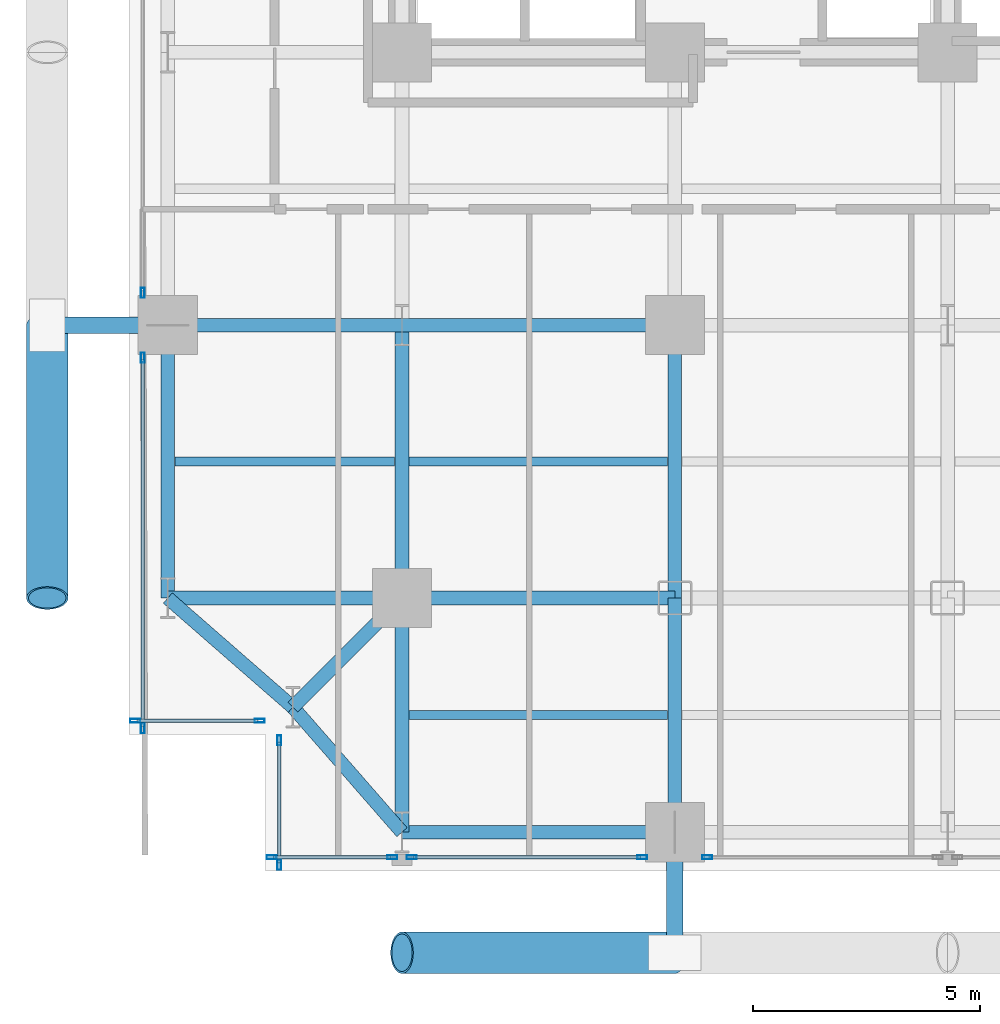
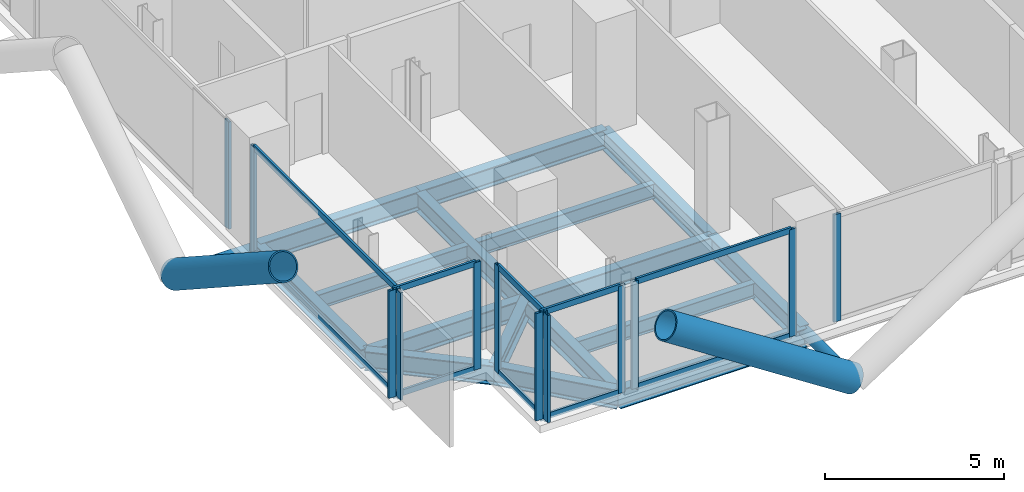
# One storey, part 2 of 27: 26 members, 16 beams, 7 elements without a shape of their own.
"""IFC4 building model written with IfcOpenShell, lengths in metres."""

from ifc_helpers import new_model, si_unit, direction, frame, origin, origin_2d, place, context, subcontext, project, spatial, hollow_rectangle, hollow_circle, i_section, extrude, material, layer, layer_set, material_profile, profile_set, type_object, element, aggregate, save


model = new_model("IFC4")

# Units and contexts
model_context = context("Model", 3, precision=1e-05, world=origin(), true_north=direction((0.0, 1.0)))
body_context = subcontext(model_context, "Body", "Model", "MODEL_VIEW")
ifc_project = project(units=[si_unit("LENGTHUNIT", "METRE"), si_unit("AREAUNIT", "SQUARE_METRE"), si_unit("VOLUMEUNIT", "CUBIC_METRE"), si_unit("PLANEANGLEUNIT", "RADIAN"), si_unit("MASSUNIT", "GRAM", prefix="KILO"), si_unit("THERMODYNAMICTEMPERATUREUNIT", "KELVIN"), si_unit("POWERUNIT", "WATT")], contexts=[model_context])

# Site, building, storey
site_placement = place(None, origin())
site = spatial("IfcSite", under=ifc_project, at=site_placement, CompositionType="ELEMENT")
building_placement = place(site_placement, origin())
building = spatial("IfcBuilding", under=site, at=building_placement, Name="Svarakhadi Broadcast Tower", CompositionType="ELEMENT")
storey_placement = place(building_placement, frame((0.0, 0.0, 44.10009765625)))
storey = spatial("IfcBuildingStorey", under=building, at=storey_placement, Name="L09", CompositionType="ELEMENT", Elevation=44.10009765625)

# Beams
ifc_material_1 = material(Name="Steel S355J2 (IS 2062 E350C)", Category="steel")
ifc_material_profile_1 = material_profile(ifc_material_1, i_section(OverallWidth=0.199951171875, OverallDepth=0.5, WebThickness=0.01025390625, FlangeThickness=0.01611328125, FilletRadius=0.02099609375, at=origin_2d()), Name="NPB 500x200x91")
ifc_profile_set_1 = profile_set([ifc_material_profile_1], Name="Steel S355J2 (IS 2062 E350C)")
beam_type_1 = type_object("IfcBeamType", Name="Beam_NPB500", PredefinedType="BEAM", material=ifc_profile_set_1)
beam_1_placement = place(storey_placement, frame((1.010009765625, 9.0, -0.5), z_axis=(1.0, 0.0, 0.0), x_axis=(0.0, 1.0, 0.0)))
element("IfcBeam", 1, at=beam_1_placement, inside=storey, type_object=beam_type_1, Name="L09 Secondary Composite Beam SB001", PredefinedType="BEAM", context=body_context, shape_type="SweptSolid", body=[
    extrude(i_section(OverallWidth=0.199951171875, OverallDepth=0.5, WebThickness=0.01025390625, FlangeThickness=0.01611328125, FilletRadius=0.02099609375, at=origin_2d()), origin(), (0.0, 0.0, 1.0), 4.830078125),
])
for number, where, z_axis, x_axis, name in (
    (2, (6.159912109375, 3.425048828125, -0.5), (1.0, 0.0, 0.0), (0.0, 1.0, 0.0), "L09 Secondary Composite Beam SB007"),
    (3, (6.159912109375, 9.0, -0.5), (1.0, 0.0, 0.0), (0.0, 1.0, 0.0), "L09 Secondary Composite Beam SB008"),
):
    element("IfcBeam", number, at=place(storey_placement, frame(where, z_axis=z_axis, x_axis=x_axis)), inside=storey, type_object=beam_type_1, Name=name, PredefinedType="BEAM", context=body_context, shape_type="SweptSolid", body=[
        extrude(i_section(OverallWidth=0.199951171875, OverallDepth=0.5, WebThickness=0.01025390625, FlangeThickness=0.01611328125, FilletRadius=0.02099609375, at=origin_2d()), origin(), (0.0, 0.0, 1.0), 5.68017578125),
    ])

# Curtain wall, members
ifc_material_2 = material(Name="Anodised Bronze Aluminium AA 6063-T6", Category="aluminium")
ifc_layer = layer(ifc_material_2, 0.219970703125)
ifc_layer_set = layer_set([ifc_layer], Name="Anodised Bronze Aluminium AA 6063-T6")
curtain_wall_type = type_object("IfcCurtainWallType", Name="CW_Sys_02", PredefinedType="NOTDEFINED", material=ifc_layer_set)
curtain_wall_1_placement = place(storey_placement, origin())
curtain_wall_1 = element("IfcCurtainWall", 4, at=curtain_wall_1_placement, inside=storey, type_object=curtain_wall_type, Name="L09 Unitised Facade Curtain Wall 01", PredefinedType="NOTDEFINED")
ifc_material_profile_2 = material_profile(ifc_material_2, hollow_rectangle(XDim=0.0849609375, YDim=0.219970703125, WallThickness=0.006103515625, at=origin_2d()), Name="ALU MULLION 220x85x6")
ifc_profile_set_2 = profile_set([ifc_material_profile_2], Name="Anodised Bronze Aluminium AA 6063-T6")
member_type_1 = type_object("IfcMemberType", Name="CW_Sys_02_Mul", PredefinedType="MULLION", material=ifc_profile_set_2)
member_1_placement = place(storey_placement, frame((2.867431640625, 3.300048828125, 0.0), z_axis=(0.0, 0.0, 1.0), x_axis=(0.0, -1.0, 0.0)))
member_1 = element("IfcMember", 5, at=member_1_placement, type_object=member_type_1, Name="CW-02 mullion 1", PredefinedType="MULLION", context=body_context, shape_type="SweptSolid", body=[
    extrude(hollow_rectangle(XDim=0.0849609375, YDim=0.219970703125, WallThickness=0.006103515625, at=origin_2d()), origin(), (0.0, 0.0, 1.0), 3.64990234375),
])
member_2_placement = place(storey_placement, frame((0.132568359375, 3.300048828125, 0.0), z_axis=(0.0, 0.0, 1.0), x_axis=(0.0, -1.0, 0.0)))
member_2 = element("IfcMember", 6, at=member_2_placement, type_object=member_type_1, Name="CW-02 mullion 2", PredefinedType="MULLION", context=body_context, shape_type="SweptSolid", body=[
    extrude(hollow_rectangle(XDim=0.0849609375, YDim=0.219970703125, WallThickness=0.006103515625, at=origin_2d()), origin(), (0.0, 0.0, 1.0), 3.64990234375),
])

curtain_wall_2_placement = place(storey_placement, origin())
curtain_wall_2 = element("IfcCurtainWall", 7, at=curtain_wall_2_placement, inside=storey, type_object=curtain_wall_type, Name="L09 West Curtain Wall 02 Bay 1", PredefinedType="NOTDEFINED")
member_3_placement = place(storey_placement, frame((0.300048828125, 3.132568359375, 0.0), z_axis=(0.0, 0.0, 1.0), x_axis=(-1.0, 0.0, 0.0)))
member_3 = element("IfcMember", 8, at=member_3_placement, type_object=member_type_1, Name="CW-02 mullion 1", PredefinedType="MULLION", context=body_context, shape_type="SweptSolid", body=[
    extrude(hollow_rectangle(XDim=0.0849609375, YDim=0.219970703125, WallThickness=0.006103515625, at=origin_2d()), origin(), (0.0, 0.0, 1.0), 3.64990234375),
])
member_4_placement = place(storey_placement, frame((0.300048828125, 11.28759765625, 0.0), z_axis=(0.0, 0.0, 1.0), x_axis=(-1.0, 0.0, 0.0)))
member_4 = element("IfcMember", 9, at=member_4_placement, type_object=member_type_1, Name="CW-02 mullion 2", PredefinedType="MULLION", context=body_context, shape_type="SweptSolid", body=[
    extrude(hollow_rectangle(XDim=0.0849609375, YDim=0.219970703125, WallThickness=0.006103515625, at=origin_2d()), origin(), (0.0, 0.0, 1.0), 3.64990234375),
])

# Curtain wall, member
curtain_wall_3_placement = place(storey_placement, origin())
curtain_wall_3 = element("IfcCurtainWall", 10, at=curtain_wall_3_placement, inside=storey, type_object=curtain_wall_type, Name="L09 West Curtain Wall 02 Bay 2", PredefinedType="NOTDEFINED")
member_5_placement = place(storey_placement, frame((0.300048828125, 12.71240234375, 0.0), z_axis=(0.0, 0.0, 1.0), x_axis=(-1.0, 0.0, 0.0)))
member_5 = element("IfcMember", 11, at=member_5_placement, type_object=member_type_1, Name="CW-02 mullion 1", PredefinedType="MULLION", context=body_context, shape_type="SweptSolid", body=[
    extrude(hollow_rectangle(XDim=0.0849609375, YDim=0.219970703125, WallThickness=0.006103515625, at=origin_2d()), origin(), (0.0, 0.0, 1.0), 3.64990234375),
])
aggregate(curtain_wall_3, [member_5])

curtain_wall_4_placement = place(storey_placement, origin())
curtain_wall_4 = element("IfcCurtainWall", 12, at=curtain_wall_4_placement, inside=storey, type_object=curtain_wall_type, Name="L09 South Curtain Wall 17 Bay 5", PredefinedType="NOTDEFINED")
member_6_placement = place(storey_placement, frame((12.71240234375, 0.300048828125, 0.0), z_axis=(0.0, 0.0, 1.0), x_axis=(0.0, -1.0, 0.0)))
member_6 = element("IfcMember", 13, at=member_6_placement, type_object=member_type_1, Name="CW-02 mullion 2", PredefinedType="MULLION", context=body_context, shape_type="SweptSolid", body=[
    extrude(hollow_rectangle(XDim=0.0849609375, YDim=0.219970703125, WallThickness=0.006103515625, at=origin_2d()), origin(), (0.0, 0.0, 1.0), 3.64990234375),
])
aggregate(curtain_wall_4, [member_6])

# Curtain wall, members
curtain_wall_5_placement = place(storey_placement, origin())
curtain_wall_5 = element("IfcCurtainWall", 14, at=curtain_wall_5_placement, inside=storey, type_object=curtain_wall_type, Name="L09 South Curtain Wall 17 Bay 6", PredefinedType="NOTDEFINED")
member_7_placement = place(storey_placement, frame((11.28759765625, 0.300048828125, 0.0), z_axis=(0.0, 0.0, 1.0), x_axis=(0.0, -1.0, 0.0)))
member_7 = element("IfcMember", 15, at=member_7_placement, type_object=member_type_1, Name="CW-02 mullion 1", PredefinedType="MULLION", context=body_context, shape_type="SweptSolid", body=[
    extrude(hollow_rectangle(XDim=0.0849609375, YDim=0.219970703125, WallThickness=0.006103515625, at=origin_2d()), origin(), (0.0, 0.0, 1.0), 3.64990234375),
])
member_8_placement = place(storey_placement, frame((6.21240234375, 0.300048828125, 0.0), z_axis=(0.0, 0.0, 1.0), x_axis=(0.0, -1.0, 0.0)))
member_8 = element("IfcMember", 16, at=member_8_placement, type_object=member_type_1, Name="CW-02 mullion 2", PredefinedType="MULLION", context=body_context, shape_type="SweptSolid", body=[
    extrude(hollow_rectangle(XDim=0.0849609375, YDim=0.219970703125, WallThickness=0.006103515625, at=origin_2d()), origin(), (0.0, 0.0, 1.0), 3.64990234375),
])

curtain_wall_6_placement = place(storey_placement, origin())
curtain_wall_6 = element("IfcCurtainWall", 17, at=curtain_wall_6_placement, inside=storey, type_object=curtain_wall_type, Name="L09 South Curtain Wall 17 Bay 7", PredefinedType="NOTDEFINED")
member_9_placement = place(storey_placement, frame((5.78759765625, 0.300048828125, 0.0), z_axis=(0.0, 0.0, 1.0), x_axis=(0.0, -1.0, 0.0)))
member_9 = element("IfcMember", 18, at=member_9_placement, type_object=member_type_1, Name="CW-02 mullion 1", PredefinedType="MULLION", context=body_context, shape_type="SweptSolid", body=[
    extrude(hollow_rectangle(XDim=0.0849609375, YDim=0.219970703125, WallThickness=0.006103515625, at=origin_2d()), origin(), (0.0, 0.0, 1.0), 3.64990234375),
])
member_10_placement = place(storey_placement, frame((3.132568359375, 0.300048828125, 0.0), z_axis=(0.0, 0.0, 1.0), x_axis=(0.0, -1.0, 0.0)))
member_10 = element("IfcMember", 19, at=member_10_placement, type_object=member_type_1, Name="CW-02 mullion 2", PredefinedType="MULLION", context=body_context, shape_type="SweptSolid", body=[
    extrude(hollow_rectangle(XDim=0.0849609375, YDim=0.219970703125, WallThickness=0.006103515625, at=origin_2d()), origin(), (0.0, 0.0, 1.0), 3.64990234375),
])

curtain_wall_7_placement = place(storey_placement, origin())
curtain_wall_7 = element("IfcCurtainWall", 20, at=curtain_wall_7_placement, inside=storey, type_object=curtain_wall_type, Name="L09 Unitised Facade Curtain Wall 18", PredefinedType="NOTDEFINED")
member_11_placement = place(storey_placement, frame((3.300048828125, 0.132568359375, 0.0), z_axis=(0.0, 0.0, 1.0), x_axis=(-1.0, 0.0, 0.0)))
member_11 = element("IfcMember", 21, at=member_11_placement, type_object=member_type_1, Name="CW-02 mullion 1", PredefinedType="MULLION", context=body_context, shape_type="SweptSolid", body=[
    extrude(hollow_rectangle(XDim=0.0849609375, YDim=0.219970703125, WallThickness=0.006103515625, at=origin_2d()), origin(), (0.0, 0.0, 1.0), 3.64990234375),
])
member_12_placement = place(storey_placement, frame((3.300048828125, 2.867431640625, 0.0), z_axis=(0.0, 0.0, 1.0), x_axis=(-1.0, 0.0, 0.0)))
member_12 = element("IfcMember", 22, at=member_12_placement, type_object=member_type_1, Name="CW-02 mullion 2", PredefinedType="MULLION", context=body_context, shape_type="SweptSolid", body=[
    extrude(hollow_rectangle(XDim=0.0849609375, YDim=0.219970703125, WallThickness=0.006103515625, at=origin_2d()), origin(), (0.0, 0.0, 1.0), 3.64990234375),
])

# Member
ifc_material_profile_3 = material_profile(ifc_material_2, hollow_rectangle(XDim=0.074951171875, YDim=0.199951171875, WallThickness=0.0048828125, at=origin_2d()), Name="ALU TRANSOM 200x75x5")
ifc_profile_set_3 = profile_set([ifc_material_profile_3], Name="Anodised Bronze Aluminium AA 6063-T6")
member_type_2 = type_object("IfcMemberType", Name="CW_Sys_02_Trn", PredefinedType="USERDEFINED", material=ifc_profile_set_3)
member_13_placement = place(storey_placement, frame((2.824951171875, 3.300048828125, 0.037353515625), z_axis=(-1.0, 0.0, 0.0), x_axis=(0.0, -1.0, 0.0)))
member_13 = element("IfcMember", 23, at=member_13_placement, type_object=member_type_2, Name="CW-02 transom 1.1", ObjectType="TRANSOM", PredefinedType="USERDEFINED", context=body_context, shape_type="SweptSolid", body=[
    extrude(hollow_rectangle(XDim=0.074951171875, YDim=0.199951171875, WallThickness=0.0048828125, at=origin_2d()), origin(), (0.0, 0.0, 1.0), 2.64990234375),
])

member_14_placement = place(storey_placement, frame((2.824951171875, 3.300048828125, 3.6123046875), z_axis=(-1.0, 0.0, 0.0), x_axis=(0.0, -1.0, 0.0)))
member_14 = element("IfcMember", 24, at=member_14_placement, type_object=member_type_2, Name="CW-02 transom 1.2", ObjectType="TRANSOM", PredefinedType="USERDEFINED", context=body_context, shape_type="SweptSolid", body=[
    extrude(hollow_rectangle(XDim=0.074951171875, YDim=0.199951171875, WallThickness=0.0048828125, at=origin_2d()), origin(), (0.0, 0.0, 1.0), 2.64990234375),
])

aggregate(curtain_wall_1, [member_1, member_2, member_13, member_14])

member_15_placement = place(storey_placement, frame((0.300048828125, 3.175048828125, 0.037353515625), z_axis=(0.0, 1.0, 0.0), x_axis=(-1.0, 0.0, 0.0)))
member_15 = element("IfcMember", 25, at=member_15_placement, type_object=member_type_2, Name="CW-02 transom 1.1", ObjectType="TRANSOM", PredefinedType="USERDEFINED", context=body_context, shape_type="SweptSolid", body=[
    extrude(hollow_rectangle(XDim=0.074951171875, YDim=0.199951171875, WallThickness=0.0048828125, at=origin_2d()), origin(), (0.0, 0.0, 1.0), 8.070068359375),
])

member_16_placement = place(storey_placement, frame((0.300048828125, 3.175048828125, 3.6123046875), z_axis=(0.0, 1.0, 0.0), x_axis=(-1.0, 0.0, 0.0)))
member_16 = element("IfcMember", 26, at=member_16_placement, type_object=member_type_2, Name="CW-02 transom 1.2", ObjectType="TRANSOM", PredefinedType="USERDEFINED", context=body_context, shape_type="SweptSolid", body=[
    extrude(hollow_rectangle(XDim=0.074951171875, YDim=0.199951171875, WallThickness=0.0048828125, at=origin_2d()), origin(), (0.0, 0.0, 1.0), 8.070068359375),
])

aggregate(curtain_wall_2, [member_3, member_4, member_15, member_16])

member_17_placement = place(storey_placement, frame((11.2451171875, 0.300048828125, 0.037353515625), z_axis=(-1.0, 0.0, 0.0), x_axis=(0.0, -1.0, 0.0)))
member_17 = element("IfcMember", 27, at=member_17_placement, type_object=member_type_2, Name="CW-02 transom 1.1", ObjectType="TRANSOM", PredefinedType="USERDEFINED", context=body_context, shape_type="SweptSolid", body=[
    extrude(hollow_rectangle(XDim=0.074951171875, YDim=0.199951171875, WallThickness=0.0048828125, at=origin_2d()), origin(), (0.0, 0.0, 1.0), 4.990234375),
])

member_18_placement = place(storey_placement, frame((11.2451171875, 0.300048828125, 3.6123046875), z_axis=(-1.0, 0.0, 0.0), x_axis=(0.0, -1.0, 0.0)))
member_18 = element("IfcMember", 28, at=member_18_placement, type_object=member_type_2, Name="CW-02 transom 1.2", ObjectType="TRANSOM", PredefinedType="USERDEFINED", context=body_context, shape_type="SweptSolid", body=[
    extrude(hollow_rectangle(XDim=0.074951171875, YDim=0.199951171875, WallThickness=0.0048828125, at=origin_2d()), origin(), (0.0, 0.0, 1.0), 4.990234375),
])

aggregate(curtain_wall_5, [member_7, member_8, member_17, member_18])

member_19_placement = place(storey_placement, frame((5.7451171875, 0.300048828125, 0.037353515625), z_axis=(-1.0, 0.0, 0.0), x_axis=(0.0, -1.0, 0.0)))
member_19 = element("IfcMember", 29, at=member_19_placement, type_object=member_type_2, Name="CW-02 transom 1.1", ObjectType="TRANSOM", PredefinedType="USERDEFINED", context=body_context, shape_type="SweptSolid", body=[
    extrude(hollow_rectangle(XDim=0.074951171875, YDim=0.199951171875, WallThickness=0.0048828125, at=origin_2d()), origin(), (0.0, 0.0, 1.0), 2.570068359375),
])

member_20_placement = place(storey_placement, frame((5.7451171875, 0.300048828125, 3.6123046875), z_axis=(-1.0, 0.0, 0.0), x_axis=(0.0, -1.0, 0.0)))
member_20 = element("IfcMember", 30, at=member_20_placement, type_object=member_type_2, Name="CW-02 transom 1.2", ObjectType="TRANSOM", PredefinedType="USERDEFINED", context=body_context, shape_type="SweptSolid", body=[
    extrude(hollow_rectangle(XDim=0.074951171875, YDim=0.199951171875, WallThickness=0.0048828125, at=origin_2d()), origin(), (0.0, 0.0, 1.0), 2.570068359375),
])

aggregate(curtain_wall_6, [member_9, member_10, member_19, member_20])

member_21_placement = place(storey_placement, frame((3.300048828125, 0.175048828125, 0.037353515625), z_axis=(0.0, 1.0, 0.0), x_axis=(-1.0, 0.0, 0.0)))
member_21 = element("IfcMember", 31, at=member_21_placement, type_object=member_type_2, Name="CW-02 transom 1.1", ObjectType="TRANSOM", PredefinedType="USERDEFINED", context=body_context, shape_type="SweptSolid", body=[
    extrude(hollow_rectangle(XDim=0.074951171875, YDim=0.199951171875, WallThickness=0.0048828125, at=origin_2d()), origin(), (0.0, 0.0, 1.0), 2.64990234375),
])

member_22_placement = place(storey_placement, frame((3.300048828125, 0.175048828125, 3.6123046875), z_axis=(0.0, 1.0, 0.0), x_axis=(-1.0, 0.0, 0.0)))
member_22 = element("IfcMember", 32, at=member_22_placement, type_object=member_type_2, Name="CW-02 transom 1.2", ObjectType="TRANSOM", PredefinedType="USERDEFINED", context=body_context, shape_type="SweptSolid", body=[
    extrude(hollow_rectangle(XDim=0.074951171875, YDim=0.199951171875, WallThickness=0.0048828125, at=origin_2d()), origin(), (0.0, 0.0, 1.0), 2.64990234375),
])

aggregate(curtain_wall_7, [member_11, member_12, member_21, member_22])

# Members
ifc_material_3 = material(Name="Steel S460ML (IS 2062 E450BR)", Category="steel")
ifc_material_profile_4 = material_profile(ifc_material_3, hollow_circle(Radius=0.45703125, WallThickness=0.044921875, at=origin_2d()), Name="CHS 914x45")
ifc_profile_set_4 = profile_set([ifc_material_profile_4], Name="Steel S460ML (IS 2062 E450BR)")
member_type_3 = type_object("IfcMemberType", Name="Exo_Brace_CHS914", PredefinedType="BRACE", material=ifc_profile_set_4)
for number, where, z_axis, x_axis, name in (
    (33, (12.0, -1.800048828125, -0.427978515625), (-0.838434262763, 0.0, 0.545002740383), (0.0, -1.0, 0.0), "L09 Exposed Bronze Exoskeleton Diagonal S01"),
    (34, (-1.800048828125, 12.0, -0.427978515625), (0.0, -0.838434262763, 0.545002740383), (1.0, 0.0, 0.0), "L09 Exposed Bronze Exoskeleton Diagonal W06"),
):
    element("IfcMember", number, at=place(storey_placement, frame(where, z_axis=z_axis, x_axis=x_axis)), inside=storey, type_object=member_type_3, Name=name, PredefinedType="BRACE", context=body_context, shape_type="SweptSolid", body=[
        extrude(hollow_circle(Radius=0.45703125, WallThickness=0.044921875, at=origin_2d()), origin(), (0.0, 0.0, 1.0), 7.15625),
    ])
ifc_material_profile_5 = material_profile(ifc_material_3, hollow_circle(Radius=0.177734375, WallThickness=0.02001953125, at=origin_2d()), Name="CHS 355.6x20")
ifc_profile_set_5 = profile_set([ifc_material_profile_5], Name="Steel S460ML (IS 2062 E450BR)")
member_type_4 = type_object("IfcMemberType", Name="Exo_Radial_Strut_Z1", PredefinedType="STRUT", material=ifc_profile_set_5)
for number, where, z_axis, x_axis, name in (
    (35, (12.0, -1.800048828125, -0.427978515625), (0.0, 1.0, 0.0), (-1.0, 0.0, 0.0), "L09 Exoskeleton Radial Tie Strut S01"),
    (36, (-1.800048828125, 12.0, -0.427978515625), (1.0, 0.0, 0.0), (0.0, 1.0, 0.0), "L09 Exoskeleton Radial Tie Strut W04"),
):
    element("IfcMember", number, at=place(storey_placement, frame(where, z_axis=z_axis, x_axis=x_axis)), inside=storey, type_object=member_type_4, Name=name, PredefinedType="STRUT", context=body_context, shape_type="SweptSolid", body=[
        extrude(hollow_circle(Radius=0.177734375, WallThickness=0.02001953125, at=origin_2d()), origin(), (0.0, 0.0, 1.0), 2.650146484375),
    ])

# Beams
ifc_material_profile_6 = material_profile(ifc_material_1, i_section(OverallWidth=0.300048828125, OverallDepth=0.64990234375, WebThickness=0.01611328125, FlangeThickness=0.031005859375, FilletRadius=0.027099609375, at=origin_2d()), Name="WPB 650x300x225")
ifc_profile_set_6 = profile_set([ifc_material_profile_6], Name="Steel S355J2 (IS 2062 E350C)")
beam_type_2 = type_object("IfcBeamType", Name="Girder_WPB650", PredefinedType="USERDEFINED", material=ifc_profile_set_6)
beam_2_placement = place(storey_placement, frame((3.60009765625, 3.60009765625, -0.5751953125), z_axis=(0.707106781187, 0.707106781187, 0.0), x_axis=(-0.707106781187, 0.707106781187, 0.0)))
element("IfcBeam", 37, at=beam_2_placement, inside=storey, type_object=beam_type_2, Name="L09 Corner Tie Girder G001", ObjectType="GIRDER", PredefinedType="USERDEFINED", context=body_context, shape_type="SweptSolid", body=[
    extrude(i_section(OverallWidth=0.300048828125, OverallDepth=0.64990234375, WebThickness=0.01611328125, FlangeThickness=0.031005859375, FilletRadius=0.027099609375, at=origin_2d()), origin(), (0.0, 0.0, 1.0), 3.39404296875),
])
for number, where, z_axis, x_axis, name in (
    (38, (3.60009765625, 3.60009765625, -0.5751953125), (-0.753437912176, 0.657519058655, 0.0), (-0.657519058655, -0.753437912176, 0.0), "L09 Corner Tie Girder G002"),
    (39, (3.60009765625, 3.60009765625, -0.5751953125), (0.657519058655, -0.753437912176, 0.0), (0.753437912176, 0.657519058655, 0.0), "L09 Corner Tie Girder G003"),
):
    element("IfcBeam", number, at=place(storey_placement, frame(where, z_axis=z_axis, x_axis=x_axis)), inside=storey, type_object=beam_type_2, Name=name, ObjectType="GIRDER", PredefinedType="USERDEFINED", context=body_context, shape_type="SweptSolid", body=[
        extrude(i_section(OverallWidth=0.300048828125, OverallDepth=0.64990234375, WebThickness=0.01611328125, FlangeThickness=0.031005859375, FilletRadius=0.027099609375, at=origin_2d()), origin(), (0.0, 0.0, 1.0), 3.64990234375),
    ])
beam_3_placement = place(storey_placement, frame((6.0, 0.85009765625, -0.5751953125), z_axis=(1.0, 0.0, 0.0), x_axis=(0.0, 1.0, 0.0)))
element("IfcBeam", 40, at=beam_3_placement, inside=storey, type_object=beam_type_2, Name="L09 Primary E-W Girder G004", ObjectType="GIRDER", PredefinedType="USERDEFINED", context=body_context, shape_type="SweptSolid", body=[
    extrude(i_section(OverallWidth=0.300048828125, OverallDepth=0.64990234375, WebThickness=0.01611328125, FlangeThickness=0.031005859375, FilletRadius=0.027099609375, at=origin_2d()), origin(), (0.0, 0.0, 1.0), 6.0),
])
beam_4_placement = place(storey_placement, frame((0.85009765625, 6.0, -0.5751953125), z_axis=(1.0, 0.0, 0.0), x_axis=(0.0, 1.0, 0.0)))
element("IfcBeam", 41, at=beam_4_placement, inside=storey, type_object=beam_type_2, Name="L09 Primary E-W Girder G011", ObjectType="GIRDER", PredefinedType="USERDEFINED", context=body_context, shape_type="SweptSolid", body=[
    extrude(i_section(OverallWidth=0.300048828125, OverallDepth=0.64990234375, WebThickness=0.01611328125, FlangeThickness=0.031005859375, FilletRadius=0.027099609375, at=origin_2d()), origin(), (0.0, 0.0, 1.0), 5.14990234375),
])
beam_5_placement = place(storey_placement, frame((6.0, 6.0, -0.5751953125), z_axis=(1.0, 0.0, 0.0), x_axis=(0.0, 1.0, 0.0)))
element("IfcBeam", 42, at=beam_5_placement, inside=storey, type_object=beam_type_2, Name="L09 Primary E-W Girder G012", ObjectType="GIRDER", PredefinedType="USERDEFINED", context=body_context, shape_type="SweptSolid", body=[
    extrude(i_section(OverallWidth=0.300048828125, OverallDepth=0.64990234375, WebThickness=0.01611328125, FlangeThickness=0.031005859375, FilletRadius=0.027099609375, at=origin_2d()), origin(), (0.0, 0.0, 1.0), 6.0),
])
beam_6_placement = place(storey_placement, frame((0.85009765625, 12.0, -0.5751953125), z_axis=(1.0, 0.0, 0.0), x_axis=(0.0, 1.0, 0.0)))
element("IfcBeam", 43, at=beam_6_placement, inside=storey, type_object=beam_type_2, Name="L09 Primary E-W Girder G019", ObjectType="GIRDER", PredefinedType="USERDEFINED", context=body_context, shape_type="SweptSolid", body=[
    extrude(i_section(OverallWidth=0.300048828125, OverallDepth=0.64990234375, WebThickness=0.01611328125, FlangeThickness=0.031005859375, FilletRadius=0.027099609375, at=origin_2d()), origin(), (0.0, 0.0, 1.0), 5.14990234375),
])
for number, where, z_axis, x_axis, name in (
    (44, (6.0, 12.0, -0.5751953125), (1.0, 0.0, 0.0), (0.0, 1.0, 0.0), "L09 Primary E-W Girder G020"),
    (45, (0.85009765625, 6.0, -0.5751953125), (0.0, 1.0, 0.0), (-1.0, 0.0, 0.0), "L09 Primary N-S Girder G045"),
):
    element("IfcBeam", number, at=place(storey_placement, frame(where, z_axis=z_axis, x_axis=x_axis)), inside=storey, type_object=beam_type_2, Name=name, ObjectType="GIRDER", PredefinedType="USERDEFINED", context=body_context, shape_type="SweptSolid", body=[
        extrude(i_section(OverallWidth=0.300048828125, OverallDepth=0.64990234375, WebThickness=0.01611328125, FlangeThickness=0.031005859375, FilletRadius=0.027099609375, at=origin_2d()), origin(), (0.0, 0.0, 1.0), 6.0),
    ])
beam_7_placement = place(storey_placement, frame((6.0, 0.85009765625, -0.5751953125), z_axis=(0.0, 1.0, 0.0), x_axis=(-1.0, 0.0, 0.0)))
element("IfcBeam", 46, at=beam_7_placement, inside=storey, type_object=beam_type_2, Name="L09 Primary N-S Girder G051", ObjectType="GIRDER", PredefinedType="USERDEFINED", context=body_context, shape_type="SweptSolid", body=[
    extrude(i_section(OverallWidth=0.300048828125, OverallDepth=0.64990234375, WebThickness=0.01611328125, FlangeThickness=0.031005859375, FilletRadius=0.027099609375, at=origin_2d()), origin(), (0.0, 0.0, 1.0), 5.14990234375),
])
beam_8_placement = place(storey_placement, frame((6.0, 6.0, -0.5751953125), z_axis=(0.0, 1.0, 0.0), x_axis=(-1.0, 0.0, 0.0)))
element("IfcBeam", 47, at=beam_8_placement, inside=storey, type_object=beam_type_2, Name="L09 Primary N-S Girder G052", ObjectType="GIRDER", PredefinedType="USERDEFINED", context=body_context, shape_type="SweptSolid", body=[
    extrude(i_section(OverallWidth=0.300048828125, OverallDepth=0.64990234375, WebThickness=0.01611328125, FlangeThickness=0.031005859375, FilletRadius=0.027099609375, at=origin_2d()), origin(), (0.0, 0.0, 1.0), 6.0),
])
beam_9_placement = place(storey_placement, frame((12.0, 0.85009765625, -0.5751953125), z_axis=(0.0, 1.0, 0.0), x_axis=(-1.0, 0.0, 0.0)))
element("IfcBeam", 48, at=beam_9_placement, inside=storey, type_object=beam_type_2, Name="L09 Primary N-S Girder G058", ObjectType="GIRDER", PredefinedType="USERDEFINED", context=body_context, shape_type="SweptSolid", body=[
    extrude(i_section(OverallWidth=0.300048828125, OverallDepth=0.64990234375, WebThickness=0.01611328125, FlangeThickness=0.031005859375, FilletRadius=0.027099609375, at=origin_2d()), origin(), (0.0, 0.0, 1.0), 5.14990234375),
])
beam_10_placement = place(storey_placement, frame((12.0, 6.0, -0.5751953125), z_axis=(0.0, 1.0, 0.0), x_axis=(-1.0, 0.0, 0.0)))
element("IfcBeam", 49, at=beam_10_placement, inside=storey, type_object=beam_type_2, Name="L09 Primary N-S Girder G059", ObjectType="GIRDER", PredefinedType="USERDEFINED", context=body_context, shape_type="SweptSolid", body=[
    extrude(i_section(OverallWidth=0.300048828125, OverallDepth=0.64990234375, WebThickness=0.01611328125, FlangeThickness=0.031005859375, FilletRadius=0.027099609375, at=origin_2d()), origin(), (0.0, 0.0, 1.0), 6.0),
])

save(model, "model.ifc")
